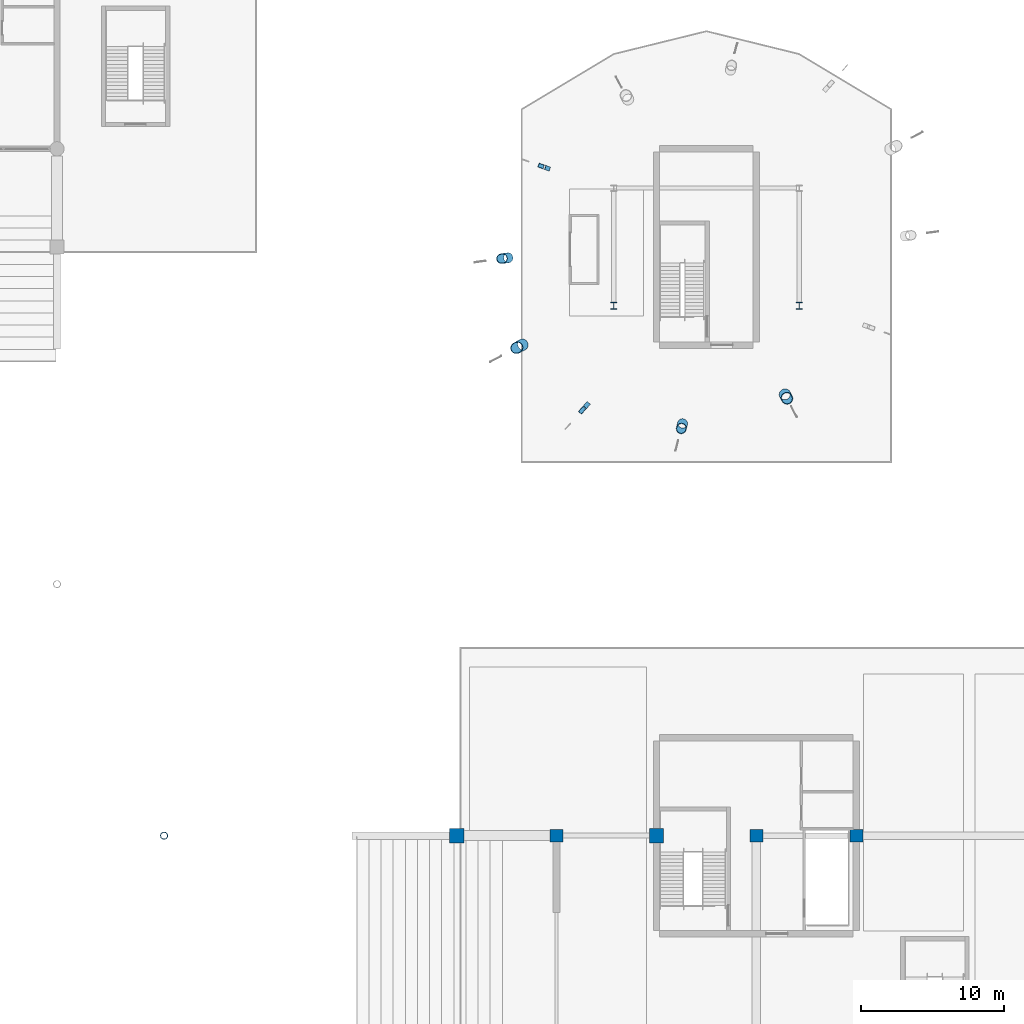
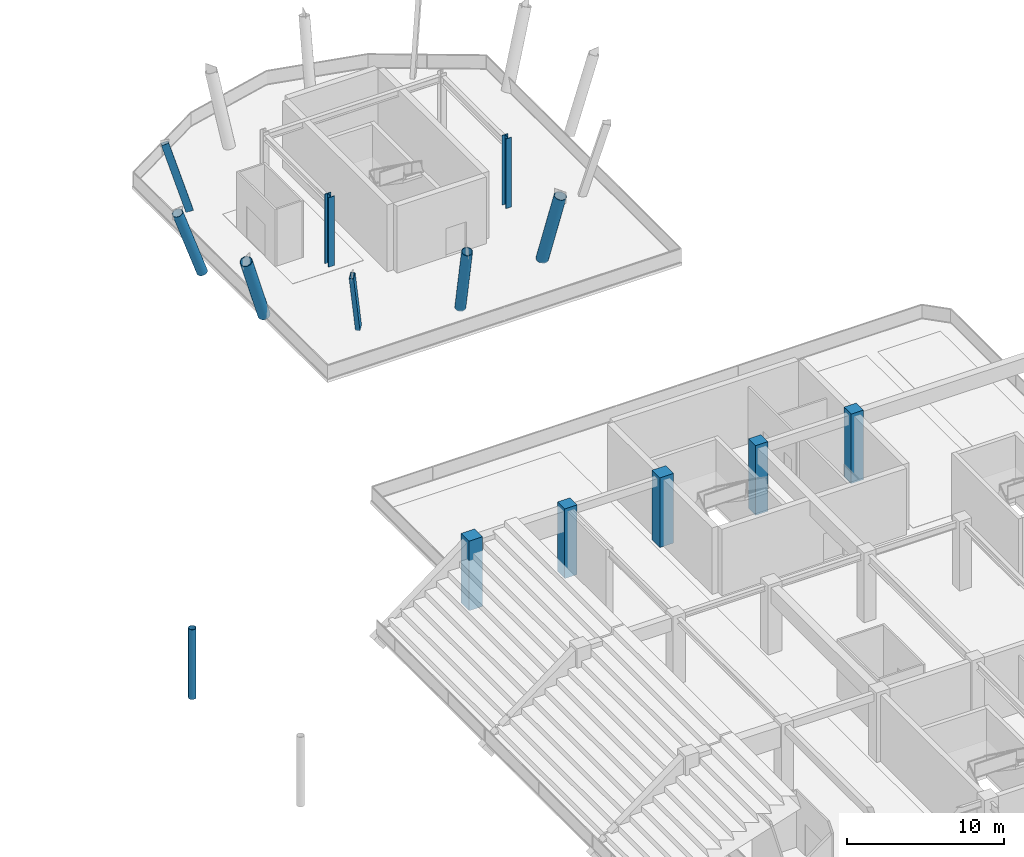
# One storey, part 20 of 117: 14 columns.
"""IFC4 building model written with IfcOpenShell, lengths in metres."""

from ifc_helpers import new_model, si_unit, direction, frame, origin, origin_2d, place, context, subcontext, project, spatial, rectangle, hollow_rectangle, hollow_circle, i_section, extrude, material, material_profile, profile_set, type_object, element, save


model = new_model("IFC4")

# Units and contexts
model_context = context("Model", 3, precision=1e-05, world=origin(), true_north=direction((0.0, 1.0)))
body_context = subcontext(model_context, "Body", "Model", "MODEL_VIEW")
ifc_project = project(units=[si_unit("LENGTHUNIT", "METRE"), si_unit("AREAUNIT", "SQUARE_METRE"), si_unit("VOLUMEUNIT", "CUBIC_METRE"), si_unit("PLANEANGLEUNIT", "RADIAN"), si_unit("MASSUNIT", "GRAM", prefix="KILO")], contexts=[model_context])

# Site, building, storey
site_placement = place(None, origin())
site = spatial("IfcSite", under=ifc_project, at=site_placement, CompositionType="ELEMENT")
building_placement = place(site_placement, origin())
building = spatial("IfcBuilding", under=site, at=building_placement, Name="Linyun Crest Stadium", CompositionType="ELEMENT")
storey_placement = place(building_placement, frame((0.0, 0.0, 6.0)))
storey = spatial("IfcBuildingStorey", under=building, at=storey_placement, Name="L02", CompositionType="ELEMENT", Elevation=6.0)

# Columns
ifc_material_1 = material(Name="Concrete C50", Category="concrete")
ifc_material_profile_1 = material_profile(ifc_material_1, rectangle(XDim=0.89990234375, YDim=0.89990234375, at=origin_2d()), Name="RC 900x900")
ifc_profile_set_1 = profile_set([ifc_material_profile_1], Name="Concrete C50")
column_type_1 = type_object("IfcColumnType", Name="C04", PredefinedType="COLUMN", material=ifc_profile_set_1)
for number, where, z_axis, x_axis, name in (
    (1, (63.0, 43.375, 0.0), (0.0, 0.0, 1.0), (1.0, 0.0, 0.0), "Column C04 L02 390"),
    (2, (77.0, 43.375, 0.0), (0.0, 0.0, 1.0), (1.0, 0.0, 0.0), "Column C04 L02 478"),
    (3, (84.0, 43.375, 0.0), (0.0, 0.0, 1.0), (1.0, 0.0, 0.0), "Column C04 L02 525"),
):
    element("IfcColumn", number, at=place(storey_placement, frame(where, z_axis=z_axis, x_axis=x_axis)), inside=storey, type_object=column_type_1, Name=name, PredefinedType="COLUMN", context=body_context, shape_type="SweptSolid", body=[
        extrude(rectangle(XDim=0.89990234375, YDim=0.89990234375, at=origin_2d()), origin(), (0.0, 0.0, 1.0), 5.39794921875),
    ])
ifc_material_2 = material(Name="Concrete C50", Category="concrete")
ifc_material_profile_2 = material_profile(ifc_material_2, rectangle(XDim=1.0, YDim=1.0, at=origin_2d()), Name="RC 1000x1000")
ifc_profile_set_2 = profile_set([ifc_material_profile_2], Name="Concrete C50")
column_type_2 = type_object("IfcColumnType", Name="C05", PredefinedType="COLUMN", material=ifc_profile_set_2)
for number, where, z_axis, x_axis, name in (
    (4, (56.0, 43.375, 0.0), (0.0, 0.0, 1.0), (1.0, 0.0, 0.0), "Column C05 L02 351"),
    (5, (70.0, 43.375, 0.0), (0.0, 0.0, 1.0), (1.0, 0.0, 0.0), "Column C05 L02 437"),
):
    element("IfcColumn", number, at=place(storey_placement, frame(where, z_axis=z_axis, x_axis=x_axis)), inside=storey, type_object=column_type_2, Name=name, PredefinedType="COLUMN", context=body_context, shape_type="SweptSolid", body=[
        extrude(rectangle(XDim=1.0, YDim=1.0, at=origin_2d()), origin(), (0.0, 0.0, 1.0), 5.39794921875),
    ])
ifc_material_3 = material(Name="Steel Q420C", Category="steel")
ifc_material_profile_3 = material_profile(ifc_material_3, i_section(OverallWidth=0.431884765625, OverallDepth=0.498046875, WebThickness=0.02392578125, FlangeThickness=0.0380859375, at=origin_2d()), Name="HW 498x432")
ifc_profile_set_3 = profile_set([ifc_material_profile_3], Name="Steel Q420C")
column_type_3 = type_object("IfcColumnType", Name="SC04", PredefinedType="COLUMN", material=ifc_profile_set_3)
for number, where, z_axis, x_axis, name in (
    (6, (67.0, 80.5, 0.0), (0.0, 0.0, 1.0), (1.0, 0.0, 0.0), "Column SC04 L02 824"),
    (7, (80.0, 80.5, 0.0), (0.0, 0.0, 1.0), (1.0, 0.0, 0.0), "Column SC04 L02 831"),
):
    element("IfcColumn", number, at=place(storey_placement, frame(where, z_axis=z_axis, x_axis=x_axis)), inside=storey, type_object=column_type_3, Name=name, PredefinedType="COLUMN", context=body_context, shape_type="SweptSolid", body=[
        extrude(i_section(OverallWidth=0.431884765625, OverallDepth=0.498046875, WebThickness=0.02392578125, FlangeThickness=0.0380859375, at=origin_2d()), origin(), (0.0, 0.0, 1.0), 5.39794921875),
    ])
ifc_material_4 = material(Name="Steel Q355C", Category="steel")
ifc_material_profile_4 = material_profile(ifc_material_4, hollow_circle(Radius=0.25390625, WallThickness=0.02490234375, at=origin_2d()), Name="CHS 508x25")
ifc_profile_set_4 = profile_set([ifc_material_profile_4], Name="Steel Q355C")
column_type_4 = type_object("IfcColumnType", Name="SC05", PredefinedType="COLUMN", material=ifc_profile_set_4)
column_1_placement = place(storey_placement, frame((35.5, 43.375, 0.0), z_axis=(0.0, 0.0, 1.0), x_axis=(1.0, 0.0, 0.0)))
element("IfcColumn", 8, at=column_1_placement, inside=storey, type_object=column_type_4, Name="Arch colonnade column SC05 L02 32", PredefinedType="COLUMN", context=body_context, shape_type="SweptSolid", body=[
    extrude(hollow_circle(Radius=0.25390625, WallThickness=0.02490234375, at=origin_2d()), origin(), (0.0, 0.0, 1.0), 5.39990234375),
])
ifc_material_5 = material(Name="Steel Q420C", Category="steel")
ifc_material_profile_5 = material_profile(ifc_material_5, hollow_circle(Radius=0.35546875, WallThickness=0.031982421875, at=origin_2d()), Name="CHS 711x32")
ifc_profile_set_5 = profile_set([ifc_material_profile_5], Name="Steel Q420C")
column_type_5 = type_object("IfcColumnType", Name="VL01", PredefinedType="PILASTER", material=ifc_profile_set_5)
column_2_placement = place(storey_placement, frame((59.60107421875, 83.866943359375, 0.001953125), z_axis=(-0.340273478299, -0.046995812562, 0.93915140077), x_axis=(0.136813203276, -0.990596864224, 0.0)))
element("IfcColumn", 9, at=column_2_placement, inside=storey, type_object=column_type_5, Name="Inclined V-leg pier VL01 53", PredefinedType="PILASTER", context=body_context, shape_type="SweptSolid", body=[
    extrude(hollow_circle(Radius=0.35546875, WallThickness=0.031982421875, at=origin_2d()), origin(), (0.0, 0.0, 1.0), 5.74560546875),
])
column_3_placement = place(storey_placement, frame((71.823974609375, 72.2470703125, 0.001953125), z_axis=(-0.06969646561, -0.27409892702, 0.959172654368), x_axis=(0.969159835539, -0.246432979081, 0.0)))
element("IfcColumn", 10, at=column_3_placement, inside=storey, type_object=column_type_5, Name="Inclined V-leg pier VL01 62", PredefinedType="PILASTER", context=body_context, shape_type="SweptSolid", body=[
    extrude(hollow_circle(Radius=0.35546875, WallThickness=0.031982421875, at=origin_2d()), origin(), (0.0, 0.0, 1.0), 5.625732421875),
])
ifc_material_6 = material(Name="Steel Q420C", Category="steel")
ifc_material_profile_6 = material_profile(ifc_material_6, hollow_circle(Radius=0.406494140625, WallThickness=0.035888671875, at=origin_2d()), Name="CHS 813x36")
ifc_profile_set_6 = profile_set([ifc_material_profile_6], Name="Steel Q420C")
column_type_6 = type_object("IfcColumnType", Name="VL02", PredefinedType="PILASTER", material=ifc_profile_set_6)
column_4_placement = place(storey_placement, frame((60.625, 77.779052734375, 0.001953125), z_axis=(-0.325568876488, -0.17298343741, 0.92955991579), x_axis=(0.469208050864, -0.883087654202, 0.0)))
element("IfcColumn", 11, at=column_4_placement, inside=storey, type_object=column_type_6, Name="Inclined V-leg pier VL02 56", PredefinedType="PILASTER", context=body_context, shape_type="SweptSolid", body=[
    extrude(hollow_circle(Radius=0.406494140625, WallThickness=0.035888671875, at=origin_2d()), origin(), (0.0, 0.0, 1.0), 5.804931640625),
])
column_5_placement = place(storey_placement, frame((78.998046875, 74.283935546875, 0.001953125), z_axis=(0.11464459209, -0.215644152363, 0.969718627776), x_axis=(0.882973793471, 0.469422283284, 0.0)))
element("IfcColumn", 12, at=column_5_placement, inside=storey, type_object=column_type_6, Name="Inclined V-leg pier VL02 65", PredefinedType="PILASTER", context=body_context, shape_type="SweptSolid", body=[
    extrude(hollow_circle(Radius=0.406494140625, WallThickness=0.035888671875, at=origin_2d()), origin(), (0.0, 0.0, 1.0), 5.564453125),
])
ifc_material_7 = material(Name="Steel Q420C", Category="steel")
ifc_material_profile_7 = material_profile(ifc_material_7, hollow_rectangle(XDim=0.300048828125, YDim=0.5, WallThickness=0.02001953125, at=origin_2d()), Name="RHS 500x300x20")
ifc_profile_set_7 = profile_set([ifc_material_profile_7], Name="Steel Q420C")
column_type_7 = type_object("IfcColumnType", Name="VL03", PredefinedType="PILASTER", material=ifc_profile_set_7)
column_6_placement = place(storey_placement, frame((62.301025390625, 90.157958984375, 0.001953125), z_axis=(-0.266286911611, 0.095300856893, 0.959171010498), x_axis=(-0.336958422921, -0.941519527797, 0.0)))
element("IfcColumn", 13, at=column_6_placement, inside=storey, type_object=column_type_7, Name="Inclined V-leg pier VL03 50", PredefinedType="PILASTER", context=body_context, shape_type="SweptSolid", body=[
    extrude(hollow_rectangle(XDim=0.300048828125, YDim=0.5, WallThickness=0.02001953125, at=origin_2d()), origin(), (0.0, 0.0, 1.0), 5.625732421875),
])
column_7_placement = place(storey_placement, frame((65.10009765625, 73.52587890625, 0.001953125), z_axis=(-0.22940222553, -0.255830857551, 0.939108721739), x_axis=(0.744516455679, -0.667604109651, 0.0)))
element("IfcColumn", 14, at=column_7_placement, inside=storey, type_object=column_type_7, Name="Inclined V-leg pier VL03 59", PredefinedType="PILASTER", context=body_context, shape_type="SweptSolid", body=[
    extrude(hollow_rectangle(XDim=0.300048828125, YDim=0.5, WallThickness=0.02001953125, at=origin_2d()), origin(), (0.0, 0.0, 1.0), 5.745849609375),
])

save(model, "model.ifc")
